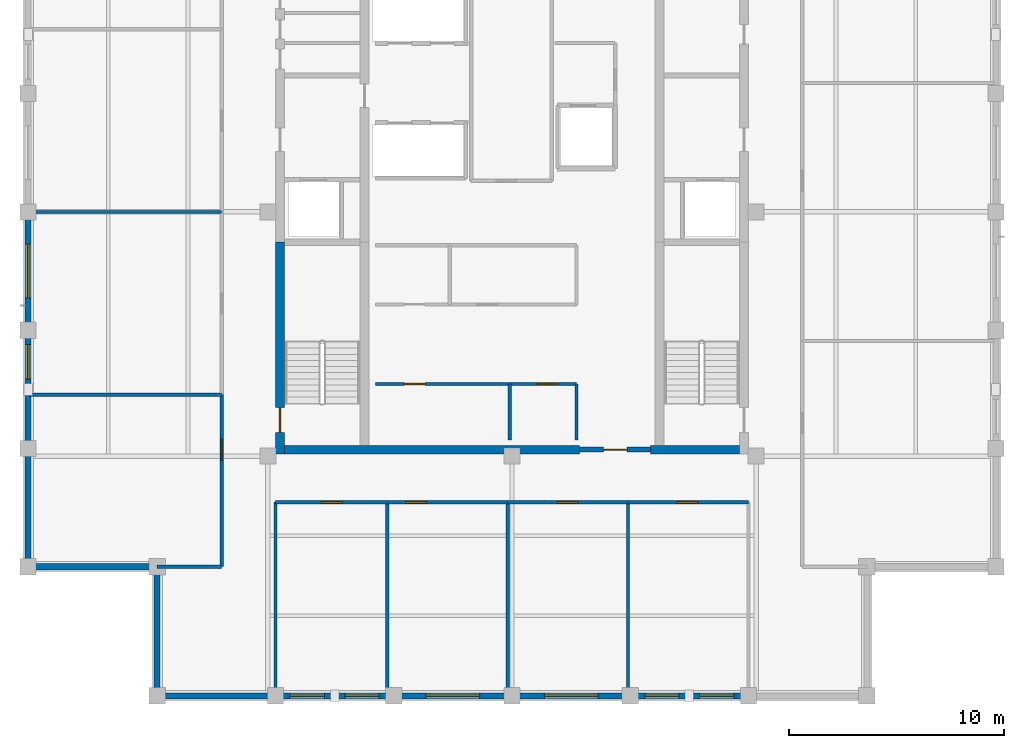
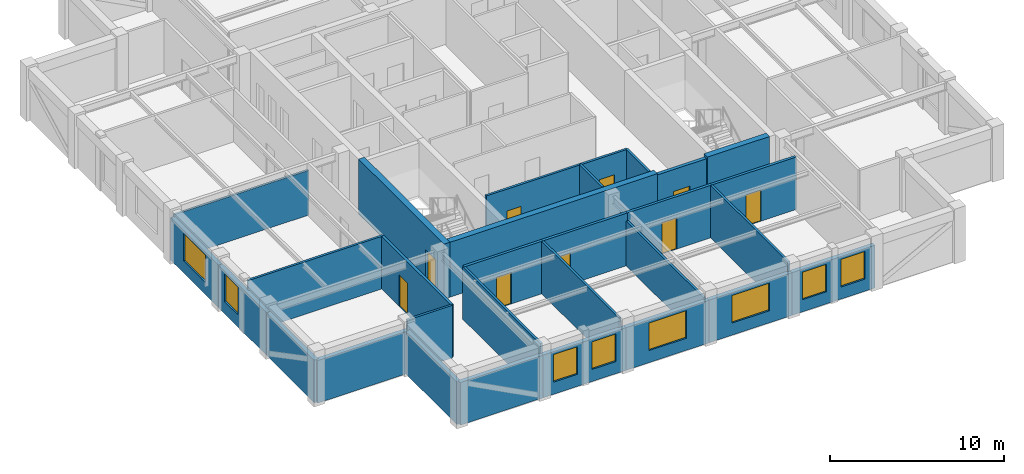
# One storey, part 5 of 9: 29 walls, 9 doors, 8 windows, 17 openings.
"""IFC4 building model written with IfcOpenShell, lengths in metres."""

from ifc_helpers import new_model, si_unit, direction, frame, frame_2d, origin, place, context, subcontext, project, spatial, rectangle, extrude, material, layer, layer_set, type_object, element, fill, save


model = new_model("IFC4")

# Units and contexts
model_context = context("Model", 3, precision=1e-05, world=origin(), true_north=direction((0.0, 1.0)))
body_context = subcontext(model_context, "Body", "Model", "MODEL_VIEW")
ifc_project = project(units=[si_unit("LENGTHUNIT", "METRE"), si_unit("AREAUNIT", "SQUARE_METRE"), si_unit("VOLUMEUNIT", "CUBIC_METRE"), si_unit("PLANEANGLEUNIT", "RADIAN"), si_unit("MASSUNIT", "GRAM", prefix="KILO")], contexts=[model_context])

# Site, building, storey
site_placement = place(None, origin())
site = spatial("IfcSite", under=ifc_project, at=site_placement, CompositionType="ELEMENT")
building_placement = place(site_placement, origin())
building = spatial("IfcBuilding", under=site, at=building_placement, Name="Nhamokura Convention Tower", CompositionType="ELEMENT")
storey_placement = place(building_placement, frame((0.0, 0.0, 269.85009765625)))
storey = spatial("IfcBuildingStorey", under=building, at=storey_placement, Name="L66", CompositionType="ELEMENT", Elevation=269.85009765625)

# Wall
ifc_material_1 = material(Name="Bronze-pigmented precast concrete C45/55", Category="concrete")
ifc_layer_1 = layer(ifc_material_1, 0.280029296875)
ifc_layer_set_1 = layer_set([ifc_layer_1], Name="BronzePrecastSpandrel_280")
wall_type_1 = type_object("IfcWallType", Name="BronzePrecastSpandrel_280", PredefinedType="USERDEFINED", material=ifc_layer_set_1)
wall_1_placement = place(storey_placement, frame((21.0, 9.5, 0.0), z_axis=(0.0, 0.0, 1.0), x_axis=(-1.0, 0.0, 0.0)))
element("IfcWall", 1, at=wall_1_placement, inside=storey, type_object=wall_type_1, Name="L66 Braced-Bay Precast Wall SOUTH 0", ObjectType="SPANDREL_WALL", PredefinedType="USERDEFINED", context=body_context, shape_type="SweptSolid", body=[
    extrude(rectangle(XDim=5.5, YDim=0.280029296875, at=frame_2d((2.75, 0.0))), origin(), (0.0, 0.0, 1.0), 2.98486328125),
])

# Wall, openings, windows
wall_2_placement = place(storey_placement, frame((26.5, 9.5, 0.0), z_axis=(0.0, 0.0, 1.0), x_axis=(-1.0, 0.0, 0.0)))
wall_2 = element("IfcWall", 2, at=wall_2_placement, inside=storey, type_object=wall_type_1, Name="L66 Masonry-Frame Wall SOUTH 1", ObjectType="SPANDREL_WALL", PredefinedType="USERDEFINED", context=body_context, shape_type="SweptSolid", body=[
    extrude(rectangle(XDim=5.5, YDim=0.280029296875, at=frame_2d((2.75, 0.0))), origin(), (0.0, 0.0, 1.0), 2.98486328125),
])
opening_1_placement = place(wall_2_placement, frame((0.675048828125, 0.0, 0.85009765625)))
opening_1 = element("IfcOpeningElement", 3, at=opening_1_placement, cuts=wall_2, Name="Opening W-11", PredefinedType="OPENING", context=body_context, shape_type="SweptSolid", body=[
    extrude(rectangle(XDim=1.60009765625, YDim=1.93505859375, at=frame_2d((0.800048828125, 0.967529296875))), frame((0.0, 0.14990234375, 0.0), z_axis=(0.0, -1.0, 0.0), x_axis=(1.0, 0.0, 0.0)), (0.0, 0.0, 1.0), 0.300048828125),
])
opening_2_placement = place(wall_2_placement, frame((3.22509765625, 0.0, 0.85009765625)))
opening_2 = element("IfcOpeningElement", 4, at=opening_2_placement, cuts=wall_2, Name="Opening W-11", PredefinedType="OPENING", context=body_context, shape_type="SweptSolid", body=[
    extrude(rectangle(XDim=1.60009765625, YDim=1.93505859375, at=frame_2d((0.800048828125, 0.967529296875))), frame((0.0, 0.14990234375, 0.0), z_axis=(0.0, -1.0, 0.0), x_axis=(1.0, 0.0, 0.0)), (0.0, 0.0, 1.0), 0.300048828125),
])
ifc_material_2 = material(Name="Solar-control bronze low-E double glass", Category="glass")
window_type_1 = type_object("IfcWindowType", Name="NotchCornerWindow_1600", PartitioningType="SINGLE_PANEL", PredefinedType="WINDOW", material=ifc_material_2)
window_1_placement = place(opening_1_placement, origin())
window_1 = element("IfcWindow", 5, at=window_1_placement, inside=storey, type_object=window_type_1, Name="L66 Facade Window SOUTH 1-1", OverallHeight=1.93505859375, OverallWidth=1.60009765625, PartitioningType="SINGLE_PANEL", PredefinedType="WINDOW", context=body_context, shape_type="SweptSolid", body=[
    extrude(rectangle(XDim=1.60009765625, YDim=1.93505859375, at=frame_2d((0.800048828125, 0.967529296875))), frame((0.0, 0.030029296875, 0.0), z_axis=(0.0, -1.0, 0.0), x_axis=(1.0, 0.0, 0.0)), (0.0, 0.0, 1.0), 0.06005859375),
])
fill(opening_1, window_1)
window_2_placement = place(opening_2_placement, origin())
window_2 = element("IfcWindow", 6, at=window_2_placement, inside=storey, type_object=window_type_1, Name="L66 Facade Window SOUTH 1-2", OverallHeight=1.93505859375, OverallWidth=1.60009765625, PartitioningType="SINGLE_PANEL", PredefinedType="WINDOW", context=body_context, shape_type="SweptSolid", body=[
    extrude(rectangle(XDim=1.60009765625, YDim=1.93505859375, at=frame_2d((0.800048828125, 0.967529296875))), frame((0.0, 0.030029296875, 0.0), z_axis=(0.0, -1.0, 0.0), x_axis=(1.0, 0.0, 0.0)), (0.0, 0.0, 1.0), 0.06005859375),
])
fill(opening_2, window_2)

# Wall, opening, window
wall_3_placement = place(storey_placement, frame((32.0, 9.5, 0.0), z_axis=(0.0, 0.0, 1.0), x_axis=(-1.0, 0.0, 0.0)))
wall_3 = element("IfcWall", 7, at=wall_3_placement, inside=storey, type_object=wall_type_1, Name="L66 Masonry-Frame Wall SOUTH 2", ObjectType="SPANDREL_WALL", PredefinedType="USERDEFINED", context=body_context, shape_type="SweptSolid", body=[
    extrude(rectangle(XDim=5.5, YDim=0.280029296875, at=frame_2d((2.75, 0.0))), origin(), (0.0, 0.0, 1.0), 2.98486328125),
])
opening_3_placement = place(wall_3_placement, frame((1.5, 0.0, 0.85009765625)))
opening_3 = element("IfcOpeningElement", 8, at=opening_3_placement, cuts=wall_3, Name="Opening W-09", PredefinedType="OPENING", context=body_context, shape_type="SweptSolid", body=[
    extrude(rectangle(XDim=2.5, YDim=1.93505859375, at=frame_2d((1.25, 0.967529296875))), frame((0.0, 0.14990234375, 0.0), z_axis=(0.0, -1.0, 0.0), x_axis=(1.0, 0.0, 0.0)), (0.0, 0.0, 1.0), 0.300048828125),
])
ifc_material_3 = material(Name="Solar-control bronze low-E double glass", Category="glass")
window_type_2 = type_object("IfcWindowType", Name="SummitWindow_Z4_2500", PartitioningType="DOUBLE_PANEL_VERTICAL", PredefinedType="WINDOW", material=ifc_material_3)
window_3_placement = place(opening_3_placement, origin())
window_3 = element("IfcWindow", 9, at=window_3_placement, inside=storey, type_object=window_type_2, Name="L66 Facade Window SOUTH 2", OverallHeight=1.93505859375, OverallWidth=2.5, PartitioningType="SINGLE_PANEL", PredefinedType="WINDOW", context=body_context, shape_type="SweptSolid", body=[
    extrude(rectangle(XDim=2.5, YDim=1.93505859375, at=frame_2d((1.25, 0.967529296875))), frame((0.0, 0.030029296875, 0.0), z_axis=(0.0, -1.0, 0.0), x_axis=(1.0, 0.0, 0.0)), (0.0, 0.0, 1.0), 0.06005859375),
])
fill(opening_3, window_3)

wall_4_placement = place(storey_placement, frame((37.5, 9.5, 0.0), z_axis=(0.0, 0.0, 1.0), x_axis=(-1.0, 0.0, 0.0)))
wall_4 = element("IfcWall", 10, at=wall_4_placement, inside=storey, type_object=wall_type_1, Name="L66 Masonry-Frame Wall SOUTH 3", ObjectType="SPANDREL_WALL", PredefinedType="USERDEFINED", context=body_context, shape_type="SweptSolid", body=[
    extrude(rectangle(XDim=5.5, YDim=0.280029296875, at=frame_2d((2.75, 0.0))), origin(), (0.0, 0.0, 1.0), 2.98486328125),
])
opening_4_placement = place(wall_4_placement, frame((1.5, 0.0, 0.85009765625)))
opening_4 = element("IfcOpeningElement", 11, at=opening_4_placement, cuts=wall_4, Name="Opening W-09", PredefinedType="OPENING", context=body_context, shape_type="SweptSolid", body=[
    extrude(rectangle(XDim=2.5, YDim=1.93505859375, at=frame_2d((1.25, 0.967529296875))), frame((0.0, 0.14990234375, 0.0), z_axis=(0.0, -1.0, 0.0), x_axis=(1.0, 0.0, 0.0)), (0.0, 0.0, 1.0), 0.300048828125),
])
window_4_placement = place(opening_4_placement, origin())
window_4 = element("IfcWindow", 12, at=window_4_placement, inside=storey, type_object=window_type_2, Name="L66 Facade Window SOUTH 3", OverallHeight=1.93505859375, OverallWidth=2.5, PartitioningType="SINGLE_PANEL", PredefinedType="WINDOW", context=body_context, shape_type="SweptSolid", body=[
    extrude(rectangle(XDim=2.5, YDim=1.93505859375, at=frame_2d((1.25, 0.967529296875))), frame((0.0, 0.030029296875, 0.0), z_axis=(0.0, -1.0, 0.0), x_axis=(1.0, 0.0, 0.0)), (0.0, 0.0, 1.0), 0.06005859375),
])
fill(opening_4, window_4)

# Wall, openings, windows
wall_5_placement = place(storey_placement, frame((43.0, 9.5, 0.0), z_axis=(0.0, 0.0, 1.0), x_axis=(-1.0, 0.0, 0.0)))
wall_5 = element("IfcWall", 13, at=wall_5_placement, inside=storey, type_object=wall_type_1, Name="L66 Masonry-Frame Wall SOUTH 4", ObjectType="SPANDREL_WALL", PredefinedType="USERDEFINED", context=body_context, shape_type="SweptSolid", body=[
    extrude(rectangle(XDim=5.5, YDim=0.280029296875, at=frame_2d((2.75, 0.0))), origin(), (0.0, 0.0, 1.0), 2.98486328125),
])
opening_5_placement = place(wall_5_placement, frame((0.675048828125, 0.0, 0.85009765625)))
opening_5 = element("IfcOpeningElement", 14, at=opening_5_placement, cuts=wall_5, Name="Opening W-11", PredefinedType="OPENING", context=body_context, shape_type="SweptSolid", body=[
    extrude(rectangle(XDim=1.60009765625, YDim=1.93505859375, at=frame_2d((0.800048828125, 0.967529296875))), frame((0.0, 0.14990234375, 0.0), z_axis=(0.0, -1.0, 0.0), x_axis=(1.0, 0.0, 0.0)), (0.0, 0.0, 1.0), 0.300048828125),
])
opening_6_placement = place(wall_5_placement, frame((3.22509765625, 0.0, 0.85009765625)))
opening_6 = element("IfcOpeningElement", 15, at=opening_6_placement, cuts=wall_5, Name="Opening W-11", PredefinedType="OPENING", context=body_context, shape_type="SweptSolid", body=[
    extrude(rectangle(XDim=1.60009765625, YDim=1.93505859375, at=frame_2d((0.800048828125, 0.967529296875))), frame((0.0, 0.14990234375, 0.0), z_axis=(0.0, -1.0, 0.0), x_axis=(1.0, 0.0, 0.0)), (0.0, 0.0, 1.0), 0.300048828125),
])
window_5_placement = place(opening_5_placement, origin())
window_5 = element("IfcWindow", 16, at=window_5_placement, inside=storey, type_object=window_type_1, Name="L66 Facade Window SOUTH 4-1", OverallHeight=1.93505859375, OverallWidth=1.60009765625, PartitioningType="SINGLE_PANEL", PredefinedType="WINDOW", context=body_context, shape_type="SweptSolid", body=[
    extrude(rectangle(XDim=1.60009765625, YDim=1.93505859375, at=frame_2d((0.800048828125, 0.967529296875))), frame((0.0, 0.030029296875, 0.0), z_axis=(0.0, -1.0, 0.0), x_axis=(1.0, 0.0, 0.0)), (0.0, 0.0, 1.0), 0.06005859375),
])
fill(opening_5, window_5)
window_6_placement = place(opening_6_placement, origin())
window_6 = element("IfcWindow", 17, at=window_6_placement, inside=storey, type_object=window_type_1, Name="L66 Facade Window SOUTH 4-2", OverallHeight=1.93505859375, OverallWidth=1.60009765625, PartitioningType="SINGLE_PANEL", PredefinedType="WINDOW", context=body_context, shape_type="SweptSolid", body=[
    extrude(rectangle(XDim=1.60009765625, YDim=1.93505859375, at=frame_2d((0.800048828125, 0.967529296875))), frame((0.0, 0.030029296875, 0.0), z_axis=(0.0, -1.0, 0.0), x_axis=(1.0, 0.0, 0.0)), (0.0, 0.0, 1.0), 0.06005859375),
])
fill(opening_6, window_6)

# Wall
wall_6_placement = place(storey_placement, frame((9.5, 15.5, 0.0), z_axis=(0.0, 0.0, 1.0), x_axis=(0.0, 1.0, 0.0)))
element("IfcWall", 18, at=wall_6_placement, inside=storey, type_object=wall_type_1, Name="L66 Braced-Bay Precast Wall WEST 0", ObjectType="SPANDREL_WALL", PredefinedType="USERDEFINED", context=body_context, shape_type="SweptSolid", body=[
    extrude(rectangle(XDim=5.5, YDim=0.280029296875, at=frame_2d((2.75, 0.0))), origin(), (0.0, 0.0, 1.0), 2.98486328125),
])

# Wall, opening, window
wall_7_placement = place(storey_placement, frame((9.5, 21.0, 0.0), z_axis=(0.0, 0.0, 1.0), x_axis=(0.0, 1.0, 0.0)))
wall_7 = element("IfcWall", 19, at=wall_7_placement, inside=storey, type_object=wall_type_1, Name="L66 Masonry-Frame Wall WEST 1", ObjectType="SPANDREL_WALL", PredefinedType="USERDEFINED", context=body_context, shape_type="SweptSolid", body=[
    extrude(rectangle(XDim=5.5, YDim=0.280029296875, at=frame_2d((2.75, 0.0))), origin(), (0.0, 0.0, 1.0), 2.98486328125),
])
opening_7_placement = place(wall_7_placement, frame((3.22509765625, 0.0, 0.85009765625)))
opening_7 = element("IfcOpeningElement", 20, at=opening_7_placement, cuts=wall_7, Name="Opening W-11", PredefinedType="OPENING", context=body_context, shape_type="SweptSolid", body=[
    extrude(rectangle(XDim=1.60009765625, YDim=1.93505859375, at=frame_2d((0.800048828125, 0.967529296875))), frame((0.0, 0.14990234375, 0.0), z_axis=(0.0, -1.0, 0.0), x_axis=(1.0, 0.0, 0.0)), (0.0, 0.0, 1.0), 0.300048828125),
])
window_7_placement = place(opening_7_placement, origin())
window_7 = element("IfcWindow", 21, at=window_7_placement, inside=storey, type_object=window_type_1, Name="L66 Facade Window WEST 1-2", OverallHeight=1.93505859375, OverallWidth=1.60009765625, PartitioningType="SINGLE_PANEL", PredefinedType="WINDOW", context=body_context, shape_type="SweptSolid", body=[
    extrude(rectangle(XDim=1.60009765625, YDim=1.93505859375, at=frame_2d((0.800048828125, 0.967529296875))), frame((0.0, 0.030029296875, 0.0), z_axis=(0.0, -1.0, 0.0), x_axis=(1.0, 0.0, 0.0)), (0.0, 0.0, 1.0), 0.06005859375),
])
fill(opening_7, window_7)

wall_8_placement = place(storey_placement, frame((9.5, 26.5, 0.0), z_axis=(0.0, 0.0, 1.0), x_axis=(0.0, 1.0, 0.0)))
wall_8 = element("IfcWall", 22, at=wall_8_placement, inside=storey, type_object=wall_type_1, Name="L66 Masonry-Frame Wall WEST 2", ObjectType="SPANDREL_WALL", PredefinedType="USERDEFINED", context=body_context, shape_type="SweptSolid", body=[
    extrude(rectangle(XDim=5.5, YDim=0.280029296875, at=frame_2d((2.75, 0.0))), origin(), (0.0, 0.0, 1.0), 2.98486328125),
])
opening_8_placement = place(wall_8_placement, frame((1.5, 0.0, 0.85009765625)))
opening_8 = element("IfcOpeningElement", 23, at=opening_8_placement, cuts=wall_8, Name="Opening W-09", PredefinedType="OPENING", context=body_context, shape_type="SweptSolid", body=[
    extrude(rectangle(XDim=2.5, YDim=1.93505859375, at=frame_2d((1.25, 0.967529296875))), frame((0.0, 0.14990234375, 0.0), z_axis=(0.0, -1.0, 0.0), x_axis=(1.0, 0.0, 0.0)), (0.0, 0.0, 1.0), 0.300048828125),
])
window_8_placement = place(opening_8_placement, origin())
window_8 = element("IfcWindow", 24, at=window_8_placement, inside=storey, type_object=window_type_2, Name="L66 Facade Window WEST 2", OverallHeight=1.93505859375, OverallWidth=2.5, PartitioningType="SINGLE_PANEL", PredefinedType="WINDOW", context=body_context, shape_type="SweptSolid", body=[
    extrude(rectangle(XDim=2.5, YDim=1.93505859375, at=frame_2d((1.25, 0.967529296875))), frame((0.0, 0.030029296875, 0.0), z_axis=(0.0, -1.0, 0.0), x_axis=(1.0, 0.0, 0.0)), (0.0, 0.0, 1.0), 0.06005859375),
])
fill(opening_8, window_8)

# Walls
for number, where, z_axis, x_axis, name in (
    (25, (15.5, 9.5, 0.0), (0.0, 0.0, 1.0), (0.0, 1.0, 0.0), "L66 Notched Corner Wall SW1"),
    (26, (15.5, 15.5, 0.0), (0.0, 0.0, 1.0), (-1.0, 0.0, 0.0), "L66 Notched Corner Wall SW2"),
):
    element("IfcWall", number, at=place(storey_placement, frame(where, z_axis=z_axis, x_axis=x_axis)), inside=storey, type_object=wall_type_1, Name=name, ObjectType="SPANDREL_WALL", PredefinedType="USERDEFINED", context=body_context, shape_type="SweptSolid", body=[
        extrude(rectangle(XDim=6.0, YDim=0.280029296875, at=frame_2d((3.0, 0.0))), origin(), (0.0, 0.0, 1.0), 2.98486328125),
    ])

# Wall, opening, door
ifc_material_4 = material(Name="Concrete C50/60", Category="concrete")
ifc_layer_2 = layer(ifc_material_4, 0.39990234375)
ifc_layer_set_2 = layer_set([ifc_layer_2], Name="CoreShearWall_400")
wall_type_2 = type_object("IfcWallType", Name="CoreShearWall_400", PredefinedType="SHEAR", material=ifc_layer_set_2)
wall_9_placement = place(storey_placement, frame((21.2099609375, 20.75, 0.0), z_axis=(0.0, 0.0, 1.0), x_axis=(0.0, 1.0, 0.0)))
wall_9 = element("IfcWall", 27, at=wall_9_placement, inside=storey, type_object=wall_type_2, Name="L66 Core Shear Wall CW-WS", PredefinedType="SHEAR", context=body_context, shape_type="SweptSolid", body=[
    extrude(rectangle(XDim=9.85009765625, YDim=0.39990234375, at=frame_2d((4.925048828125, 0.0))), origin(), (0.0, 0.0, 1.0), 3.849853515625),
])
opening_9_placement = place(wall_9_placement, frame((1.0, 0.0, 0.0)))
opening_9 = element("IfcOpeningElement", 28, at=opening_9_placement, cuts=wall_9, Name="Opening D-04", PredefinedType="OPENING", context=body_context, shape_type="SweptSolid", body=[
    extrude(rectangle(XDim=1.14990234375, YDim=2.14990234375, at=frame_2d((0.574951171875, 1.074951171875))), frame((0.0, 0.2099609375, 0.0), z_axis=(0.0, -1.0, 0.0), x_axis=(1.0, 0.0, 0.0)), (0.0, 0.0, 1.0), 0.419921875),
])
ifc_material_5 = material(Name="Fire-rated steel door", Category="steel")
door_type_1 = type_object("IfcDoorType", Name="StairSmokeDoor_1150", OperationType="NOTDEFINED", PredefinedType="DOOR", material=ifc_material_5)
door_1_placement = place(opening_9_placement, origin())
door_1 = element("IfcDoor", 29, at=door_1_placement, inside=storey, type_object=door_type_1, Name="L66 Core Door INT-L66-D-ST01", OperationType="SINGLE_SWING_LEFT", OverallHeight=2.14990234375, OverallWidth=1.14990234375, PredefinedType="DOOR", context=body_context, shape_type="SweptSolid", body=[
    extrude(rectangle(XDim=1.14990234375, YDim=2.14990234375, at=frame_2d((0.574951171875, 1.074951171875))), frame((0.0, 0.02490234375, 0.0), z_axis=(0.0, -1.0, 0.0), x_axis=(1.0, 0.0, 0.0)), (0.0, 0.0, 1.0), 0.050048828125),
])
fill(opening_9, door_1)

# Walls
wall_10_placement = place(storey_placement, frame((21.409912109375, 20.949951171875, 0.0), z_axis=(0.0, 0.0, 1.0), x_axis=(1.0, 0.0, 0.0)))
element("IfcWall", 30, at=wall_10_placement, inside=storey, type_object=wall_type_2, Name="L66 Core Shear Wall CW-S1", PredefinedType="SHEAR", context=body_context, shape_type="SweptSolid", body=[
    extrude(rectangle(XDim=13.739990234375, YDim=0.39990234375, at=frame_2d((6.8701171875, 0.0))), origin(), (0.0, 0.0, 1.0), 3.849853515625),
])
wall_11_placement = place(storey_placement, frame((38.449951171875, 20.949951171875, 0.0), z_axis=(0.0, 0.0, 1.0), x_axis=(1.0, 0.0, 0.0)))
element("IfcWall", 31, at=wall_11_placement, inside=storey, type_object=wall_type_2, Name="L66 Core Shear Wall CW-S2", PredefinedType="SHEAR", context=body_context, shape_type="SweptSolid", body=[
    extrude(rectangle(XDim=4.14013671875, YDim=0.39990234375, at=frame_2d((2.070068359375, 0.0))), origin(), (0.0, 0.0, 1.0), 3.849853515625),
])

# Wall, opening, door
ifc_material_6 = material(Name="Fire-rated gypsum and masonry partition", Category="masonry")
ifc_layer_3 = layer(ifc_material_6, 0.179931640625)
ifc_layer_set_3 = layer_set([ifc_layer_3], Name="CorridorRatedWall_180")
wall_type_3 = type_object("IfcWallType", Name="CorridorRatedWall_180", PredefinedType="STANDARD", material=ifc_layer_set_3)
wall_12_placement = place(storey_placement, frame((21.0, 18.5, 0.0), z_axis=(0.0, 0.0, 1.0), x_axis=(1.0, 0.0, 0.0)))
wall_12 = element("IfcWall", 32, at=wall_12_placement, inside=storey, type_object=wall_type_3, Name="L66 Wall INT-L66-CW-S00", PredefinedType="STANDARD", context=body_context, shape_type="SweptSolid", body=[
    extrude(rectangle(XDim=5.199951171875, YDim=0.179931640625, at=frame_2d((2.60009765625, 0.0))), origin(), (0.0, 0.0, 1.0), 3.684814453125),
])
opening_10_placement = place(wall_12_placement, frame((2.125, 0.0, 0.0)))
opening_10 = element("IfcOpeningElement", 33, at=opening_10_placement, cuts=wall_12, Name="Opening D-08", PredefinedType="OPENING", context=body_context, shape_type="SweptSolid", body=[
    extrude(rectangle(XDim=0.97998046875, YDim=2.199951171875, at=frame_2d((0.489990234375, 1.10009765625))), frame((0.0, 0.099853515625, 0.0), z_axis=(0.0, -1.0, 0.0), x_axis=(1.0, 0.0, 0.0)), (0.0, 0.0, 1.0), 0.199951171875),
])
ifc_material_7 = material(Name="Solid oak hardwood", Category="wood")
door_type_2 = type_object("IfcDoorType", Name="OfficeEntryDoor_980", OperationType="NOTDEFINED", PredefinedType="DOOR", material=ifc_material_7)
door_2_placement = place(opening_10_placement, origin())
door_2 = element("IfcDoor", 34, at=door_2_placement, inside=storey, type_object=door_type_2, Name="L66 Private Office S01 Door", OperationType="SINGLE_SWING_LEFT", OverallHeight=2.199951171875, OverallWidth=0.97998046875, PredefinedType="DOOR", context=body_context, shape_type="SweptSolid", body=[
    extrude(rectangle(XDim=0.97998046875, YDim=2.199951171875, at=frame_2d((0.489990234375, 1.10009765625))), frame((0.0, 0.02490234375, 0.0), z_axis=(0.0, -1.0, 0.0), x_axis=(1.0, 0.0, 0.0)), (0.0, 0.0, 1.0), 0.050048828125),
])
fill(opening_10, door_2)

wall_13_placement = place(storey_placement, frame((26.199951171875, 18.5, 0.0), z_axis=(0.0, 0.0, 1.0), x_axis=(1.0, 0.0, 0.0)))
wall_13 = element("IfcWall", 35, at=wall_13_placement, inside=storey, type_object=wall_type_3, Name="L66 Wall INT-L66-CW-S01", PredefinedType="STANDARD", context=body_context, shape_type="SweptSolid", body=[
    extrude(rectangle(XDim=5.60009765625, YDim=0.179931640625, at=frame_2d((2.800048828125, 0.0))), origin(), (0.0, 0.0, 1.0), 3.684814453125),
])
opening_11_placement = place(wall_13_placement, frame((0.85009765625, 0.0, 0.0)))
opening_11 = element("IfcOpeningElement", 36, at=opening_11_placement, cuts=wall_13, Name="Opening D-08", PredefinedType="OPENING", context=body_context, shape_type="SweptSolid", body=[
    extrude(rectangle(XDim=0.97998046875, YDim=2.199951171875, at=frame_2d((0.489990234375, 1.10009765625))), frame((0.0, 0.099853515625, 0.0), z_axis=(0.0, -1.0, 0.0), x_axis=(1.0, 0.0, 0.0)), (0.0, 0.0, 1.0), 0.199951171875),
])
door_3_placement = place(opening_11_placement, origin())
door_3 = element("IfcDoor", 37, at=door_3_placement, inside=storey, type_object=door_type_2, Name="L66 Private Office S02 Door", OperationType="SINGLE_SWING_RIGHT", OverallHeight=2.199951171875, OverallWidth=0.97998046875, PredefinedType="DOOR", context=body_context, shape_type="SweptSolid", body=[
    extrude(rectangle(XDim=0.97998046875, YDim=2.199951171875, at=frame_2d((0.489990234375, 1.10009765625))), frame((0.0, 0.02490234375, 0.0), z_axis=(0.0, -1.0, 0.0), x_axis=(1.0, 0.0, 0.0)), (0.0, 0.0, 1.0), 0.050048828125),
])
fill(opening_11, door_3)

wall_14_placement = place(storey_placement, frame((31.800048828125, 18.5, 0.0), z_axis=(0.0, 0.0, 1.0), x_axis=(1.0, 0.0, 0.0)))
wall_14 = element("IfcWall", 38, at=wall_14_placement, inside=storey, type_object=wall_type_3, Name="L66 Wall INT-L66-CW-S02", PredefinedType="STANDARD", context=body_context, shape_type="SweptSolid", body=[
    extrude(rectangle(XDim=5.599853515625, YDim=0.179931640625, at=frame_2d((2.7998046875, 0.0))), origin(), (0.0, 0.0, 1.0), 3.684814453125),
])
opening_12_placement = place(wall_14_placement, frame((2.300048828125, 0.0, 0.0)))
opening_12 = element("IfcOpeningElement", 39, at=opening_12_placement, cuts=wall_14, Name="Opening D-08", PredefinedType="OPENING", context=body_context, shape_type="SweptSolid", body=[
    extrude(rectangle(XDim=0.97998046875, YDim=2.199951171875, at=frame_2d((0.489990234375, 1.10009765625))), frame((0.0, 0.099853515625, 0.0), z_axis=(0.0, -1.0, 0.0), x_axis=(1.0, 0.0, 0.0)), (0.0, 0.0, 1.0), 0.199951171875),
])
door_4_placement = place(opening_12_placement, origin())
door_4 = element("IfcDoor", 40, at=door_4_placement, inside=storey, type_object=door_type_2, Name="L66 Executive Suite S03 Door", OperationType="SINGLE_SWING_LEFT", OverallHeight=2.199951171875, OverallWidth=0.97998046875, PredefinedType="DOOR", context=body_context, shape_type="SweptSolid", body=[
    extrude(rectangle(XDim=0.97998046875, YDim=2.199951171875, at=frame_2d((0.489990234375, 1.10009765625))), frame((0.0, 0.02490234375, 0.0), z_axis=(0.0, -1.0, 0.0), x_axis=(1.0, 0.0, 0.0)), (0.0, 0.0, 1.0), 0.050048828125),
])
fill(opening_12, door_4)

wall_15_placement = place(storey_placement, frame((37.39990234375, 18.5, 0.0), z_axis=(0.0, 0.0, 1.0), x_axis=(1.0, 0.0, 0.0)))
wall_15 = element("IfcWall", 41, at=wall_15_placement, inside=storey, type_object=wall_type_3, Name="L66 Wall INT-L66-CW-S03", PredefinedType="STANDARD", context=body_context, shape_type="SweptSolid", body=[
    extrude(rectangle(XDim=5.60009765625, YDim=0.179931640625, at=frame_2d((2.800048828125, 0.0))), origin(), (0.0, 0.0, 1.0), 3.684814453125),
])
opening_13_placement = place(wall_15_placement, frame((2.27490234375, 0.0, 0.0)))
opening_13 = element("IfcOpeningElement", 42, at=opening_13_placement, cuts=wall_15, Name="Opening D-08", PredefinedType="OPENING", context=body_context, shape_type="SweptSolid", body=[
    extrude(rectangle(XDim=0.97998046875, YDim=2.199951171875, at=frame_2d((0.489990234375, 1.10009765625))), frame((0.0, 0.099853515625, 0.0), z_axis=(0.0, -1.0, 0.0), x_axis=(1.0, 0.0, 0.0)), (0.0, 0.0, 1.0), 0.199951171875),
])
door_5_placement = place(opening_13_placement, origin())
door_5 = element("IfcDoor", 43, at=door_5_placement, inside=storey, type_object=door_type_2, Name="L66 Private Office S04 Door", OperationType="SINGLE_SWING_RIGHT", OverallHeight=2.199951171875, OverallWidth=0.97998046875, PredefinedType="DOOR", context=body_context, shape_type="SweptSolid", body=[
    extrude(rectangle(XDim=0.97998046875, YDim=2.199951171875, at=frame_2d((0.489990234375, 1.10009765625))), frame((0.0, 0.02490234375, 0.0), z_axis=(0.0, -1.0, 0.0), x_axis=(1.0, 0.0, 0.0)), (0.0, 0.0, 1.0), 0.050048828125),
])
fill(opening_13, door_5)

wall_16_placement = place(storey_placement, frame((18.5, 15.5, 0.0), z_axis=(0.0, 0.0, 1.0), x_axis=(0.0, 1.0, 0.0)))
wall_16 = element("IfcWall", 44, at=wall_16_placement, inside=storey, type_object=wall_type_3, Name="L66 Wall INT-L66-CW-W00", PredefinedType="STANDARD", context=body_context, shape_type="SweptSolid", body=[
    extrude(rectangle(XDim=8.0, YDim=0.179931640625, at=frame_2d((4.0, 0.0))), origin(), (0.0, 0.0, 1.0), 3.684814453125),
])
opening_14_placement = place(wall_16_placement, frame((4.949951171875, 0.0, 0.0)))
opening_14 = element("IfcOpeningElement", 45, at=opening_14_placement, cuts=wall_16, Name="Opening D-08", PredefinedType="OPENING", context=body_context, shape_type="SweptSolid", body=[
    extrude(rectangle(XDim=0.97998046875, YDim=2.199951171875, at=frame_2d((0.489990234375, 1.10009765625))), frame((0.0, 0.099853515625, 0.0), z_axis=(0.0, -1.0, 0.0), x_axis=(1.0, 0.0, 0.0)), (0.0, 0.0, 1.0), 0.199951171875),
])
door_6_placement = place(opening_14_placement, origin())
door_6 = element("IfcDoor", 46, at=door_6_placement, inside=storey, type_object=door_type_2, Name="L66 Boardroom W01 Door", OperationType="SINGLE_SWING_LEFT", OverallHeight=2.199951171875, OverallWidth=0.97998046875, PredefinedType="DOOR", context=body_context, shape_type="SweptSolid", body=[
    extrude(rectangle(XDim=0.97998046875, YDim=2.199951171875, at=frame_2d((0.489990234375, 1.10009765625))), frame((0.0, 0.02490234375, 0.0), z_axis=(0.0, -1.0, 0.0), x_axis=(1.0, 0.0, 0.0)), (0.0, 0.0, 1.0), 0.050048828125),
])
fill(opening_14, door_6)

ifc_material_8 = material(Name="Autoclaved concrete blockwork", Category="masonry")
ifc_layer_4 = layer(ifc_material_8, 0.219970703125)
ifc_layer_set_4 = layer_set([ifc_layer_4], Name="FireLobbyWall_220")
wall_type_4 = type_object("IfcWallType", Name="FireLobbyWall_220", PredefinedType="STANDARD", material=ifc_layer_set_4)
wall_17_placement = place(storey_placement, frame((35.14990234375, 20.949951171875, 0.0), z_axis=(0.0, 0.0, 1.0), x_axis=(1.0, 0.0, 0.0)))
wall_17 = element("IfcWall", 47, at=wall_17_placement, inside=storey, type_object=wall_type_4, Name="L66 Wall INT-L66-SPORT-S", PredefinedType="STANDARD", context=body_context, shape_type="SweptSolid", body=[
    extrude(rectangle(XDim=3.300048828125, YDim=0.219970703125, at=frame_2d((1.64990234375, 0.0))), origin(), (0.0, 0.0, 1.0), 3.684814453125),
])
opening_15_placement = place(wall_17_placement, frame((1.10009765625, 0.0, 0.0)))
opening_15 = element("IfcOpeningElement", 48, at=opening_15_placement, cuts=wall_17, Name="Opening D-05", PredefinedType="OPENING", context=body_context, shape_type="SweptSolid", body=[
    extrude(rectangle(XDim=1.10009765625, YDim=2.14990234375, at=frame_2d((0.550048828125, 1.074951171875))), frame((0.0, 0.119873046875, 0.0), z_axis=(0.0, -1.0, 0.0), x_axis=(1.0, 0.0, 0.0)), (0.0, 0.0, 1.0), 0.239990234375),
])
ifc_material_9 = material(Name="Fire-rated steel door", Category="steel")
door_type_3 = type_object("IfcDoorType", Name="FireLobbyDoor_1100", OperationType="NOTDEFINED", PredefinedType="DOOR", material=ifc_material_9)
door_7_placement = place(opening_15_placement, origin())
door_7 = element("IfcDoor", 49, at=door_7_placement, inside=storey, type_object=door_type_3, Name="L66 South Core Lobby Portal Door", OperationType="SINGLE_SWING_LEFT", OverallHeight=2.14990234375, OverallWidth=1.10009765625, PredefinedType="DOOR", context=body_context, shape_type="SweptSolid", body=[
    extrude(rectangle(XDim=1.10009765625, YDim=2.14990234375, at=frame_2d((0.550048828125, 1.074951171875))), frame((0.0, 0.02490234375, 0.0), z_axis=(0.0, -1.0, 0.0), x_axis=(1.0, 0.0, 0.0)), (0.0, 0.0, 1.0), 0.050048828125),
])
fill(opening_15, door_7)

# Wall, openings, doors
ifc_material_10 = material(Name="Acoustic gypsum stud partition", Category="masonry")
ifc_layer_5 = layer(ifc_material_10, 0.14990234375)
ifc_layer_set_5 = layer_set([ifc_layer_5], Name="InteriorPartition_150")
wall_type_5 = type_object("IfcWallType", Name="InteriorPartition_150", PredefinedType="STANDARD", material=ifc_layer_set_5)
wall_18_placement = place(storey_placement, frame((25.64990234375, 24.0, 0.0), z_axis=(0.0, 0.0, 1.0), x_axis=(1.0, 0.0, 0.0)))
wall_18 = element("IfcWall", 50, at=wall_18_placement, inside=storey, type_object=wall_type_5, Name="L66 Wall INT-L66-B1R-N", PredefinedType="STANDARD", context=body_context, shape_type="SweptSolid", body=[
    extrude(rectangle(XDim=9.35009765625, YDim=0.14990234375, at=frame_2d((4.675048828125, 0.0))), origin(), (0.0, 0.0, 1.0), 3.684814453125),
])
opening_16_placement = place(wall_18_placement, frame((1.35009765625, 0.0, 0.0)))
opening_16 = element("IfcOpeningElement", 51, at=opening_16_placement, cuts=wall_18, Name="Opening D-09", PredefinedType="OPENING", context=body_context, shape_type="SweptSolid", body=[
    extrude(rectangle(XDim=0.949951171875, YDim=2.14990234375, at=frame_2d((0.47509765625, 1.074951171875))), frame((0.0, 0.0849609375, 0.0), z_axis=(0.0, -1.0, 0.0), x_axis=(1.0, 0.0, 0.0)), (0.0, 0.0, 1.0), 0.169921875),
])
opening_17_placement = place(wall_18_placement, frame((7.5, 0.0, 0.0)))
opening_17 = element("IfcOpeningElement", 52, at=opening_17_placement, cuts=wall_18, Name="Opening D-08", PredefinedType="OPENING", context=body_context, shape_type="SweptSolid", body=[
    extrude(rectangle(XDim=0.97998046875, YDim=2.199951171875, at=frame_2d((0.489990234375, 1.10009765625))), frame((0.0, 0.0849609375, 0.0), z_axis=(0.0, -1.0, 0.0), x_axis=(1.0, 0.0, 0.0)), (0.0, 0.0, 1.0), 0.169921875),
])
ifc_material_11 = material(Name="Solid oak hardwood", Category="wood")
door_type_4 = type_object("IfcDoorType", Name="MeetingRoomDoor_950", OperationType="NOTDEFINED", PredefinedType="DOOR", material=ifc_material_11)
door_8_placement = place(opening_16_placement, origin())
door_8 = element("IfcDoor", 53, at=door_8_placement, inside=storey, type_object=door_type_4, Name="L66 Reclaimed Briefing Room Door", OperationType="SINGLE_SWING_LEFT", OverallHeight=2.14990234375, OverallWidth=0.949951171875, PredefinedType="DOOR", context=body_context, shape_type="SweptSolid", body=[
    extrude(rectangle(XDim=0.949951171875, YDim=2.14990234375, at=frame_2d((0.47509765625, 1.074951171875))), frame((0.0, 0.02490234375, 0.0), z_axis=(0.0, -1.0, 0.0), x_axis=(1.0, 0.0, 0.0)), (0.0, 0.0, 1.0), 0.050048828125),
])
fill(opening_16, door_8)
door_9_placement = place(opening_17_placement, origin())
door_9 = element("IfcDoor", 54, at=door_9_placement, inside=storey, type_object=door_type_2, Name="L66 Reclaimed Hub Door", OperationType="SINGLE_SWING_RIGHT", OverallHeight=2.199951171875, OverallWidth=0.97998046875, PredefinedType="DOOR", context=body_context, shape_type="SweptSolid", body=[
    extrude(rectangle(XDim=0.97998046875, YDim=2.199951171875, at=frame_2d((0.489990234375, 1.10009765625))), frame((0.0, 0.02490234375, 0.0), z_axis=(0.0, -1.0, 0.0), x_axis=(1.0, 0.0, 0.0)), (0.0, 0.0, 1.0), 0.050048828125),
])
fill(opening_17, door_9)

# Walls
for number, where, z_axis, x_axis, name in (
    (55, (31.89990234375, 21.39990234375, 0.0), (0.0, 0.0, 1.0), (0.0, 1.0, 0.0), "L66 Wall INT-L66-B1R-M"),
    (56, (35.0, 21.39990234375, 0.0), (0.0, 0.0, 1.0), (0.0, 1.0, 0.0), "L66 Wall INT-L66-B1R-E"),
):
    element("IfcWall", number, at=place(storey_placement, frame(where, z_axis=z_axis, x_axis=x_axis)), inside=storey, type_object=wall_type_5, Name=name, PredefinedType="STANDARD", context=body_context, shape_type="SweptSolid", body=[
        extrude(rectangle(XDim=2.60009765625, YDim=0.14990234375, at=frame_2d((1.300048828125, 0.0))), origin(), (0.0, 0.0, 1.0), 3.684814453125),
    ])
for number, where, z_axis, x_axis, name in (
    (57, (21.0, 9.56005859375, 0.0), (0.0, 0.0, 1.0), (0.0, 1.0, 0.0), "L66 Wall INT-L66-RWL-S"),
    (58, (26.199951171875, 9.56005859375, 0.0), (0.0, 0.0, 1.0), (0.0, 1.0, 0.0), "L66 Wall INT-L66-RW-S01"),
):
    element("IfcWall", number, at=place(storey_placement, frame(where, z_axis=z_axis, x_axis=x_axis)), inside=storey, type_object=wall_type_5, Name=name, PredefinedType="STANDARD", context=body_context, shape_type="SweptSolid", body=[
        extrude(rectangle(XDim=8.93994140625, YDim=0.14990234375, at=frame_2d((4.469970703125, 0.0))), origin(), (0.0, 0.0, 1.0), 3.684814453125),
    ])
wall_19_placement = place(storey_placement, frame((31.800048828125, 9.56005859375, 0.0), z_axis=(0.0, 0.0, 1.0), x_axis=(0.0, 1.0, 0.0)))
element("IfcWall", 59, at=wall_19_placement, inside=storey, type_object=wall_type_5, Name="L66 Wall INT-L66-RW-S02", PredefinedType="STANDARD", context=body_context, shape_type="SweptSolid", body=[
    extrude(rectangle(XDim=8.93994140625, YDim=0.14990234375, at=frame_2d((4.469970703125, 0.0))), origin(), (0.0, 0.0, 1.0), 3.139892578125),
])
for number, where, z_axis, x_axis, name in (
    (60, (37.39990234375, 9.56005859375, 0.0), (0.0, 0.0, 1.0), (0.0, 1.0, 0.0), "L66 Wall INT-L66-RW-S03"),
    (61, (9.56005859375, 23.5, 0.0), (0.0, 0.0, 1.0), (1.0, 0.0, 0.0), "L66 Wall INT-L66-RW-W01"),
):
    element("IfcWall", number, at=place(storey_placement, frame(where, z_axis=z_axis, x_axis=x_axis)), inside=storey, type_object=wall_type_5, Name=name, PredefinedType="STANDARD", context=body_context, shape_type="SweptSolid", body=[
        extrude(rectangle(XDim=8.93994140625, YDim=0.14990234375, at=frame_2d((4.469970703125, 0.0))), origin(), (0.0, 0.0, 1.0), 3.684814453125),
    ])
wall_20_placement = place(storey_placement, frame((9.56005859375, 32.0, 0.0), z_axis=(0.0, 0.0, 1.0), x_axis=(1.0, 0.0, 0.0)))
element("IfcWall", 62, at=wall_20_placement, inside=storey, type_object=wall_type_5, Name="L66 Wall INT-L66-RW-W02", PredefinedType="STANDARD", context=body_context, shape_type="SweptSolid", body=[
    extrude(rectangle(XDim=8.93994140625, YDim=0.14990234375, at=frame_2d((4.469970703125, 0.0))), origin(), (0.0, 0.0, 1.0), 3.139892578125),
])
wall_21_placement = place(storey_placement, frame((15.5, 15.5, 0.0), z_axis=(0.0, 0.0, 1.0), x_axis=(1.0, 0.0, 0.0)))
element("IfcWall", 63, at=wall_21_placement, inside=storey, type_object=wall_type_5, Name="L66 Wall INT-L66-VSTP-WS", PredefinedType="STANDARD", context=body_context, shape_type="SweptSolid", body=[
    extrude(rectangle(XDim=3.0, YDim=0.14990234375, at=frame_2d((1.5, 0.0))), origin(), (0.0, 0.0, 1.0), 3.684814453125),
])

save(model, "model.ifc")
